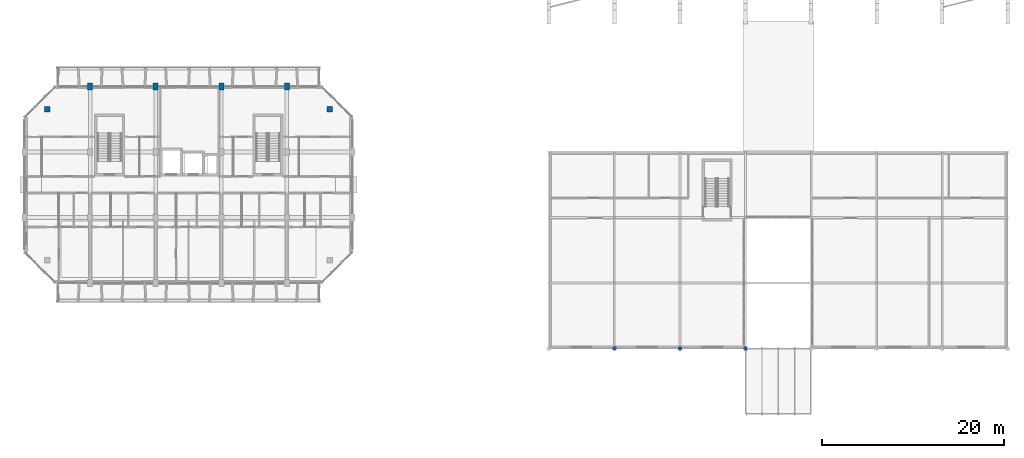
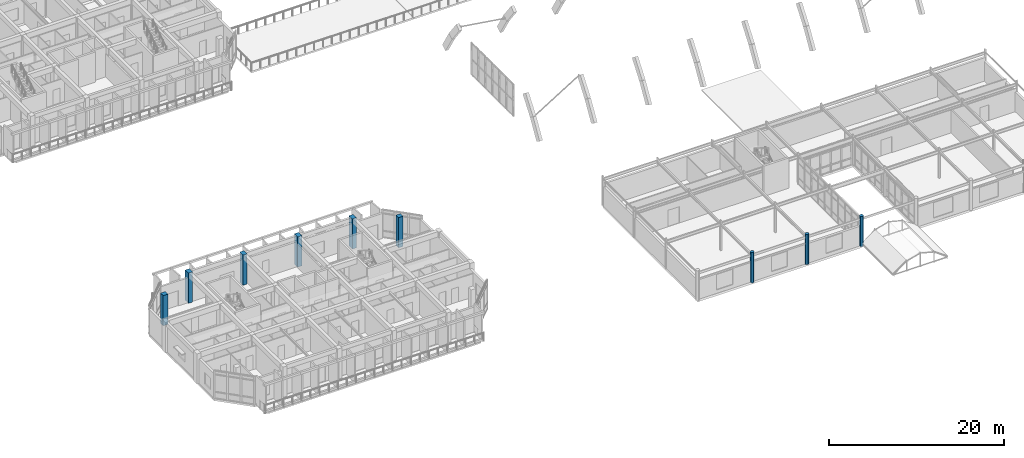
# One storey, part 4 of 85: 9 columns.
"""IFC4 building model written with IfcOpenShell, lengths in metres."""

import ifcopenshell
import ifcopenshell.guid

model = None  # the IFC model being written
_history = None  # IfcOwnerHistory: only IFC2X3 demands one
_inside = {}  # id of a spatial element -> (the spatial element, [elements in it])
_under = {}  # id of a project, library or spatial element -> (it, [spatial elements below it])
_declared = {}  # id of a project -> (the project, [libraries it declares])
_typed = {}  # id of a type object -> (the type object, [elements of that type])
_made_of = {}  # id of a material, layer set ... -> (it, [elements and type objects made of it])


def new_model(schema):
    """Start an empty IFC model of exactly this schema.

    Asked for "IFC4X3", IfcOpenShell would pick the latest addendum, in which some entities
    have other attributes; the version numbers below select the first issue.
    IFC2X3 requires an IfcOwnerHistory on every rooted entity: one is made here for all.
    """
    global model, _history
    if schema == "IFC4X3":
        model = ifcopenshell.file(schema_version=(4, 3, 0, 0))
    else:
        model = ifcopenshell.file(schema=schema)
    _inside.clear()
    _under.clear()
    _declared.clear()
    _typed.clear()
    _made_of.clear()
    _history = None
    if model.schema == "IFC2X3":
        org = make("IfcOrganization", Name="unknown")
        user = make(
            "IfcPersonAndOrganization",
            ThePerson=make("IfcPerson", FamilyName="unknown"),
            TheOrganization=org,
        )
        app = make(
            "IfcApplication",
            ApplicationDeveloper=org,
            Version="unknown",
            ApplicationFullName="unknown",
            ApplicationIdentifier="unknown",
        )
        _history = make(
            "IfcOwnerHistory",
            OwningUser=user,
            OwningApplication=app,
            ChangeAction="ADDED",
            CreationDate=0,
        )
    return model


def make(cls, **values):
    """One entity of the class cls with the attributes given. An attribute that is None is left unset."""
    return model.create_entity(
        cls, **{name: value for name, value in values.items() if value is not None}
    )


def rooted(cls, **values):
    """An entity with a GlobalId (a new one), such as an element, a storey or a relation."""
    return make(cls, GlobalId=ifcopenshell.guid.new(), OwnerHistory=_history, **values)


def si_unit(unit_type, name, prefix=None):
    """IfcSIUnit, for example si_unit("LENGTHUNIT", "METRE", prefix="MILLI")."""
    return make("IfcSIUnit", UnitType=unit_type, Prefix=prefix, Name=name)


def assignment(units):
    """IfcUnitAssignment: the units of a project."""
    return None if units is None else make("IfcUnitAssignment", Units=units)


def point(xyz):
    """IfcCartesianPoint."""
    return None if xyz is None else make("IfcCartesianPoint", Coordinates=xyz)


def direction(xyz):
    """IfcDirection."""
    return None if xyz is None else make("IfcDirection", DirectionRatios=xyz)


def frame(location, z_axis=None, x_axis=None):
    """IfcAxis2Placement3D, a coordinate frame: its origin and axes. An axis left out is left unset."""
    return make(
        "IfcAxis2Placement3D",
        Location=point(location),
        Axis=direction(z_axis),
        RefDirection=direction(x_axis),
    )


def frame_2d(location, x_axis=None):
    """IfcAxis2Placement2D, a coordinate frame in the plane: its origin and x axis."""
    return make(
        "IfcAxis2Placement2D", Location=point(location), RefDirection=direction(x_axis)
    )


def origin():
    """The frame at (0, 0, 0) with its axes left unset."""
    return frame((0.0, 0.0, 0.0))


def origin_2d():
    """The frame at (0, 0) in the plane with its x axis left unset."""
    return frame_2d((0.0, 0.0))


def place(relative_to, where):
    """IfcLocalPlacement: puts the frame where relative to a parent placement (None: the world)."""
    return make(
        "IfcLocalPlacement", PlacementRelTo=relative_to, RelativePlacement=where
    )


def context(
    kind, dimensions, precision=None, world=None, true_north=None, identifier=None
):
    """IfcGeometricRepresentationContext, for example the 3D "Model" context."""
    return make(
        "IfcGeometricRepresentationContext",
        ContextIdentifier=identifier,
        ContextType=kind,
        CoordinateSpaceDimension=dimensions,
        Precision=precision,
        WorldCoordinateSystem=world,
        TrueNorth=true_north,
    )


def subcontext(parent, identifier, kind, view, scale=None):
    """IfcGeometricRepresentationSubContext, for example "Body" below "Model"."""
    return make(
        "IfcGeometricRepresentationSubContext",
        ContextIdentifier=identifier,
        ContextType=kind,
        ParentContext=parent,
        TargetScale=scale,
        TargetView=view,
    )


def project(units=None, contexts=None):
    """IfcProject with its units and contexts."""
    return rooted(
        "IfcProject",
        Name="project",
        RepresentationContexts=contexts,
        UnitsInContext=assignment(units),
    )


def spatial(cls, under=None, at=None, **own):
    """A site, building, storey or space (cls), placed at a placement, below another one or the project."""
    s = rooted(cls, ObjectPlacement=at, **own)
    if under is not None:
        _under.setdefault(under.id(), (under, []))[1].append(s)
    return s


def profile(cls, at=None, kind="AREA", **sizes):
    """A parametric profile (cls). Its sizes go by their IFC names, for example OverallWidth=200.0."""
    return make(cls, ProfileType=kind, Position=at, **sizes)


def rectangle(**sizes):
    """IfcRectangleProfileDef."""
    return profile("IfcRectangleProfileDef", **sizes)


def circle(**sizes):
    """IfcCircleProfileDef."""
    return profile("IfcCircleProfileDef", **sizes)


def extrude(swept, where, along, depth):
    """IfcExtrudedAreaSolid: the profile swept, set in the frame where, extruded along a direction by depth."""
    return make(
        "IfcExtrudedAreaSolid",
        SweptArea=swept,
        Position=where,
        ExtrudedDirection=direction(along),
        Depth=depth,
    )


def shape(context_of_items, identifier, shape_type, items):
    """IfcShapeRepresentation: the items that make up one representation, for example the "Body"."""
    return make(
        "IfcShapeRepresentation",
        ContextOfItems=context_of_items,
        RepresentationIdentifier=identifier,
        RepresentationType=shape_type,
        Items=items,
    )


def material(Name=None, Category=None):
    """IfcMaterial."""
    return make("IfcMaterial", Name=Name, Category=Category)


def material_profile(
    of_material, cross_section, Name=None, Category=None, Priority=None
):
    """IfcMaterialProfile: a cross section and its material."""
    return make(
        "IfcMaterialProfile",
        Name=Name,
        Material=of_material,
        Profile=cross_section,
        Priority=Priority,
        Category=Category,
    )


def profile_set(profiles, Name=None, composite=None):
    """IfcMaterialProfileSet."""
    return make(
        "IfcMaterialProfileSet",
        Name=Name,
        MaterialProfiles=profiles,
        CompositeProfile=composite,
    )


def made_of(thing, what):
    """Note that an element or type object is made of a material, layer set ...; save() writes the relation."""
    if what is not None:
        _made_of.setdefault(what.id(), (what, []))[1].append(thing)
    return thing


def type_object(cls, material=None, **own):
    """A type object (cls), such as IfcWallType, which elements share."""
    return made_of(rooted(cls, **own), material)


def element(
    cls,
    number,
    at=None,
    inside=None,
    cuts=None,
    type_object=None,
    material=None,
    context=None,
    identifier="Body",
    shape_type=None,
    held_by="IfcProductDefinitionShape",
    body=None,
    shapes=None,
    **own,
):
    """One element of the class cls, such as IfcWall. Its Tag is "e" and its number.

    at: its placement. inside: the storey or other place that contains it. cuts: it is an
    opening in that element (IfcRelVoidsElement). A single representation is given by context,
    identifier, shape_type and body (its items); several are given by shapes. held_by: the class
    of the entity that holds the representations. save() writes the other relations.
    """
    e = rooted(cls, Tag="e%d" % number, ObjectPlacement=at, **own)
    if body is not None:
        shapes = [shape(context, identifier, shape_type, body)]
    if shapes is not None:
        e.Representation = make(held_by, Representations=shapes)
    if inside is not None:
        _inside.setdefault(inside.id(), (inside, []))[1].append(e)
    if cuts is not None:
        rooted(
            "IfcRelVoidsElement", RelatingBuildingElement=cuts, RelatedOpeningElement=e
        )
    if type_object is not None:
        _typed.setdefault(type_object.id(), (type_object, []))[1].append(e)
    return made_of(e, material)


def aggregate(whole, parts):
    """IfcRelAggregates: a whole, such as a stair, and the parts it consists of."""
    return rooted("IfcRelAggregates", RelatingObject=whole, RelatedObjects=parts)


def save(model, path):
    """Write the relations noted so far, then the file.

    IfcRelAggregates (storeys below a building ...), IfcRelContainedInSpatialStructure (elements
    in a storey), IfcRelDefinesByType, IfcRelAssociatesMaterial and IfcRelDeclares: one each for
    every whole, place, type object, material and project.
    """
    for whole, parts in _under.values():
        aggregate(whole, parts)
    for where, things in _inside.values():
        rooted(
            "IfcRelContainedInSpatialStructure",
            RelatedElements=things,
            RelatingStructure=where,
        )
    for kind, things in _typed.values():
        rooted("IfcRelDefinesByType", RelatedObjects=things, RelatingType=kind)
    for what, things in _made_of.values():
        rooted("IfcRelAssociatesMaterial", RelatedObjects=things, RelatingMaterial=what)
    for by, libraries in _declared.values():
        rooted("IfcRelDeclares", RelatingContext=by, RelatedDefinitions=libraries)
    model.write(path)


model = new_model("IFC4")

# Units and contexts
model_context = context("Model", 3, precision=1e-05, world=origin(), true_north=direction((0.0, 1.0)))
body_context = subcontext(model_context, "Body", "Model", "MODEL_VIEW")
ifc_project = project(units=[si_unit("LENGTHUNIT", "METRE"), si_unit("AREAUNIT", "SQUARE_METRE"), si_unit("VOLUMEUNIT", "CUBIC_METRE"), si_unit("PLANEANGLEUNIT", "RADIAN"), si_unit("MASSUNIT", "GRAM", prefix="KILO")], contexts=[model_context])

# Site, building, storey
site_placement = place(None, origin())
site = spatial("IfcSite", under=ifc_project, at=site_placement, CompositionType="ELEMENT")
building_placement = place(site_placement, origin())
building = spatial("IfcBuilding", under=site, at=building_placement, Name="Ochrevale Crest", CompositionType="ELEMENT")
storey_placement = place(building_placement, frame((0.0, 0.0, 4.5)))
storey = spatial("IfcBuildingStorey", under=building, at=storey_placement, Name="L01", CompositionType="ELEMENT", Elevation=4.5)

# Columns
ifc_material_1 = material(Name="Precast concrete C50/60", Category="concrete")
ifc_material_profile_1 = material_profile(ifc_material_1, rectangle(XDim=0.550048828125, YDim=0.75, at=origin_2d()), Name="RC 550x750")
ifc_profile_set_1 = profile_set([ifc_material_profile_1], Name="Precast concrete C50/60")
column_type_1 = type_object("IfcColumnType", Name="COL-RC550x750", PredefinedType="COLUMN", material=ifc_profile_set_1)
for number, where, z_axis, x_axis, name in (
    (1, (7.199951171875, 36.0, 0.0), (0.0, 0.0, 1.0), (1.0, 0.0, 0.0), "Block A L01 column (7.2,36.0)"),
    (2, (14.39990234375, 36.0, 0.0), (0.0, 0.0, 1.0), (1.0, 0.0, 0.0), "Block A L01 column (14.4,36.0)"),
    (3, (21.60009765625, 36.0, 0.0), (0.0, 0.0, 1.0), (1.0, 0.0, 0.0), "Block A L01 column (21.6,36.0)"),
    (4, (28.800048828125, 36.0, 0.0), (0.0, 0.0, 1.0), (1.0, 0.0, 0.0), "Block A L01 column (28.8,36.0)"),
):
    element("IfcColumn", number, at=place(storey_placement, frame(where, z_axis=z_axis, x_axis=x_axis)), inside=storey, type_object=column_type_1, Name=name, PredefinedType="COLUMN", context=body_context, shape_type="SweptSolid", body=[
        extrude(rectangle(XDim=0.550048828125, YDim=0.75, at=origin_2d()), origin(), (0.0, 0.0, 1.0), 4.199951171875),
    ])
ifc_material_profile_2 = material_profile(ifc_material_1, rectangle(XDim=0.60009765625, YDim=0.60009765625, at=origin_2d()), Name="RC 600x600")
ifc_profile_set_2 = profile_set([ifc_material_profile_2], Name="Precast concrete C50/60")
column_type_2 = type_object("IfcColumnType", Name="COL-RC600x600", PredefinedType="COLUMN", material=ifc_profile_set_2)
for number, where, z_axis, x_axis, name in (
    (5, (2.5, 33.5, 0.0), (0.0, 0.0, 1.0), (1.0, 0.0, 0.0), "Block A L01 column (2.5,33.5)"),
    (6, (33.5, 33.5, 0.0), (0.0, 0.0, 1.0), (1.0, 0.0, 0.0), "Block A L01 column (33.5,33.5)"),
):
    element("IfcColumn", number, at=place(storey_placement, frame(where, z_axis=z_axis, x_axis=x_axis)), inside=storey, type_object=column_type_2, Name=name, PredefinedType="COLUMN", context=body_context, shape_type="SweptSolid", body=[
        extrude(rectangle(XDim=0.60009765625, YDim=0.60009765625, at=origin_2d()), origin(), (0.0, 0.0, 1.0), 4.199951171875),
    ])
ifc_material_2 = material(Name="Precast concrete C40/50", Category="concrete")
ifc_material_profile_3 = material_profile(ifc_material_2, circle(Radius=0.22509765625, at=origin_2d()), Name="RC D450")
ifc_profile_set_3 = profile_set([ifc_material_profile_3], Name="Precast concrete C40/50")
column_type_3 = type_object("IfcColumnType", Name="COL-RCD450", PredefinedType="COLUMN", material=ifc_profile_set_3)
for number, where, z_axis, x_axis, name in (
    (7, (64.800048828125, 7.199951171875, 0.0), (0.0, 0.0, 1.0), (1.0, 0.0, 0.0), "Retail arcade L01 column (64.8,7.2)"),
    (8, (72.0, 7.199951171875, 0.0), (0.0, 0.0, 1.0), (1.0, 0.0, 0.0), "Retail arcade L01 column (72.0,7.2)"),
    (9, (79.199951171875, 7.199951171875, 0.0), (0.0, 0.0, 1.0), (1.0, 0.0, 0.0), "Retail arcade L01 column (79.2,7.2)"),
):
    element("IfcColumn", number, at=place(storey_placement, frame(where, z_axis=z_axis, x_axis=x_axis)), inside=storey, type_object=column_type_3, Name=name, PredefinedType="COLUMN", context=body_context, shape_type="SweptSolid", body=[
        extrude(circle(Radius=0.22509765625, at=origin_2d()), origin(), (0.0, 0.0, 1.0), 4.199951171875),
    ])

save(model, "model.ifc")
